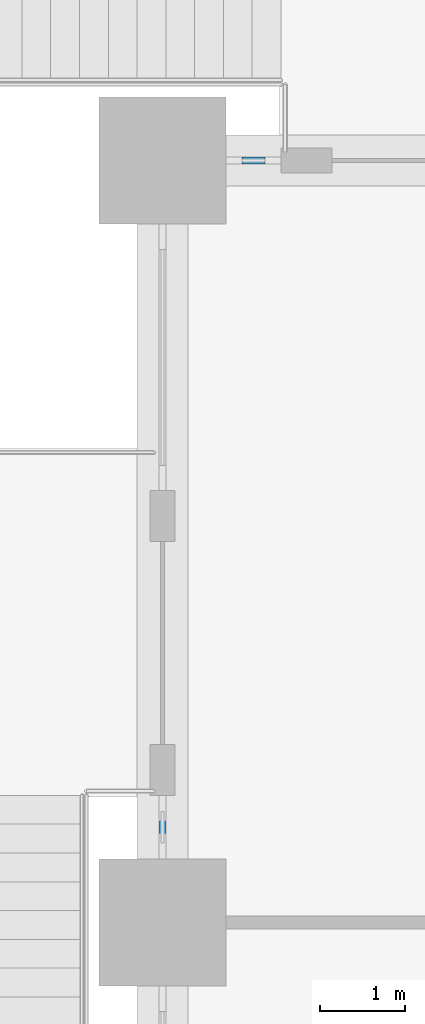
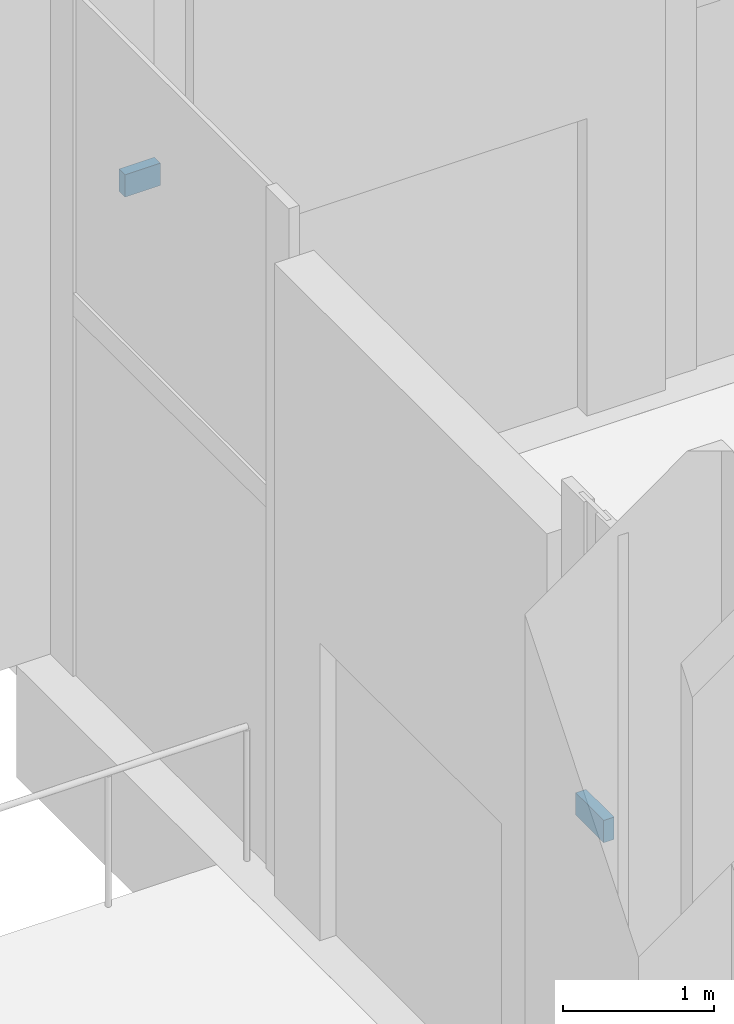
# One storey, part 12 of 47: 2 members, 2 elements without a shape of their own.
"""IFC4 building model written with IfcOpenShell, lengths in metres."""

from ifc_helpers import new_model, si_unit, direction, frame, origin, origin_2d, place, context, subcontext, project, spatial, rectangle, extrude, material, material_profile, profile_set, type_object, element, aggregate, save


model = new_model("IFC4")

# Units and contexts
model_context = context("Model", 3, precision=1e-05, world=origin(), true_north=direction((0.0, 1.0)))
body_context = subcontext(model_context, "Body", "Model", "MODEL_VIEW")
ifc_project = project(units=[si_unit("LENGTHUNIT", "METRE"), si_unit("AREAUNIT", "SQUARE_METRE"), si_unit("VOLUMEUNIT", "CUBIC_METRE"), si_unit("PLANEANGLEUNIT", "RADIAN"), si_unit("MASSUNIT", "GRAM", prefix="KILO")], contexts=[model_context])

# Site, building, storey
site_placement = place(None, origin())
site = spatial("IfcSite", under=ifc_project, at=site_placement, CompositionType="ELEMENT")
building_placement = place(site_placement, origin())
building = spatial("IfcBuilding", under=site, at=building_placement, Name="Candeia Pilgrim Tower and Theatre", CompositionType="ELEMENT")
storey_placement = place(building_placement, frame((0.0, 0.0, 23.0)))
storey = spatial("IfcBuildingStorey", under=building, at=storey_placement, Name="L03", CompositionType="ELEMENT", Elevation=23.0)

# Curtain wall, member
ifc_material_1 = material(Name="Aluminium framed podium glazing", Category="aluminium")
curtain_wall_type = type_object("IfcCurtainWallType", Name="CW-P curtain wall", PredefinedType="NOTDEFINED", material=ifc_material_1)
curtain_wall_1_placement = place(storey_placement, origin())
curtain_wall_1 = element("IfcCurtainWall", 1, at=curtain_wall_1_placement, inside=storey, type_object=curtain_wall_type, Name="Curtain wall CW-P L03.050", PredefinedType="NOTDEFINED")
ifc_material_2 = material(Name="Anodised aluminium", Category="aluminium")
ifc_material_profile = material_profile(ifc_material_2, rectangle(XDim=0.080078125, YDim=0.179931640625, at=origin_2d()))
ifc_profile_set = profile_set([ifc_material_profile], Name="Anodised aluminium")
member_type = type_object("IfcMemberType", Name="CW-P transom 80x180", PredefinedType="USERDEFINED", material=ifc_profile_set)
member_1_placement = place(storey_placement, frame((58.800048828125, 136.739990234375, 3.0), z_axis=(0.0, 1.0, 0.0), x_axis=(-1.0, 0.0, 0.0)))
member_1 = element("IfcMember", 2, at=member_1_placement, type_object=member_type, Name="CW-P transom 1.1", ObjectType="TRANSOM", PredefinedType="USERDEFINED", context=body_context, shape_type="SweptSolid", body=[
    extrude(rectangle(XDim=0.080078125, YDim=0.179931640625, at=origin_2d()), origin(), (0.0, 0.0, 1.0), 0.3701171875),
])
aggregate(curtain_wall_1, [member_1])

curtain_wall_2_placement = place(storey_placement, origin())
curtain_wall_2 = element("IfcCurtainWall", 3, at=curtain_wall_2_placement, inside=storey, type_object=curtain_wall_type, Name="Curtain wall CW-P L03.100", PredefinedType="NOTDEFINED")
member_2_placement = place(storey_placement, frame((59.739990234375, 144.800048828125, 3.0), z_axis=(1.0, 0.0, 0.0), x_axis=(0.0, 1.0, 0.0)))
member_2 = element("IfcMember", 4, at=member_2_placement, type_object=member_type, Name="CW-P transom 1.1", ObjectType="TRANSOM", PredefinedType="USERDEFINED", context=body_context, shape_type="SweptSolid", body=[
    extrude(rectangle(XDim=0.080078125, YDim=0.179931640625, at=origin_2d()), origin(), (0.0, 0.0, 1.0), 0.27001953125),
])
aggregate(curtain_wall_2, [member_2])

save(model, "model.ifc")
